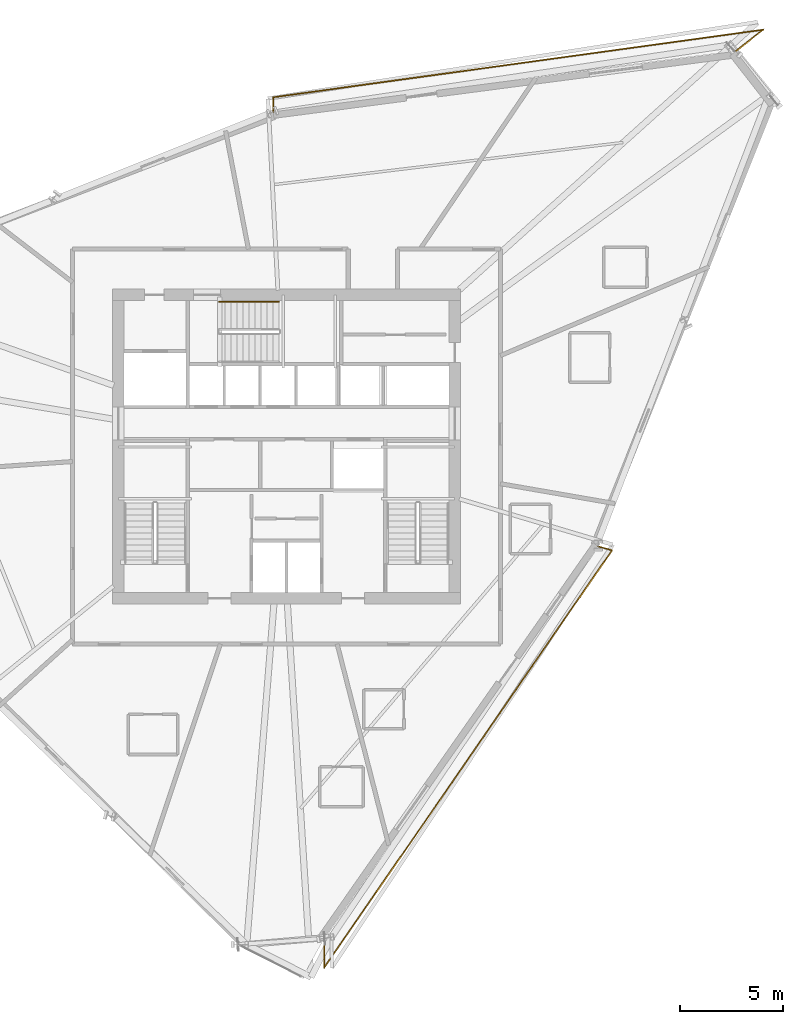
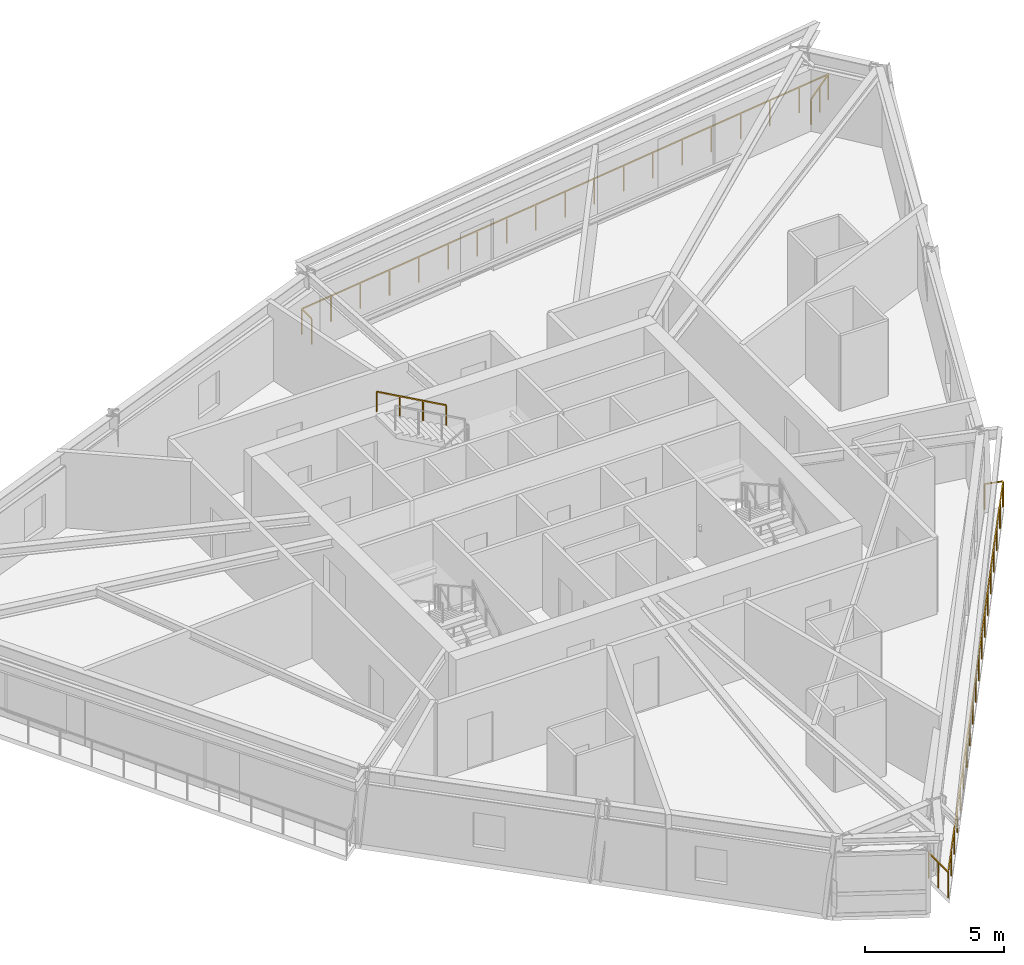
# One storey, part 13 of 13: 3 railings.
"""IFC4 building model written with IfcOpenShell, lengths in metres."""

from ifc_helpers import new_model, si_unit, direction, frame, origin, origin_2d, place, context, subcontext, project, spatial, rectangle, extrude, material, type_object, element, save


model = new_model("IFC4")

# Units and contexts
model_context = context("Model", 3, precision=1e-05, world=origin(), true_north=direction((0.0, 1.0)))
body_context = subcontext(model_context, "Body", "Model", "MODEL_VIEW")
ifc_project = project(units=[si_unit("LENGTHUNIT", "METRE"), si_unit("AREAUNIT", "SQUARE_METRE"), si_unit("VOLUMEUNIT", "CUBIC_METRE"), si_unit("PLANEANGLEUNIT", "RADIAN"), si_unit("MASSUNIT", "GRAM", prefix="KILO")], contexts=[model_context])

# Site, building, storey
site_placement = place(None, origin())
site = spatial("IfcSite", under=ifc_project, at=site_placement, CompositionType="ELEMENT")
building_placement = place(site_placement, origin())
building = spatial("IfcBuilding", under=site, at=building_placement, Name="Olszyna Solenne Hotel", CompositionType="ELEMENT")
storey_placement = place(building_placement, frame((0.0, 0.0, 189.199951171875)))
storey = spatial("IfcBuildingStorey", under=building, at=storey_placement, Name="L50", CompositionType="ELEMENT", Elevation=189.199951171875)

# Railings
ifc_material_1 = material(Name="Anodised bronze aluminium", Category="aluminium")
railing_type_1 = type_object("IfcRailingType", Name="GR-110", PredefinedType="BALUSTRADE", material=ifc_material_1)
railing_1_placement = place(storey_placement, frame((59.842529296875, 45.81982421875, 0.0)))
element("IfcRailing", 1, at=railing_1_placement, inside=storey, type_object=railing_type_1, Name="Loggia balcony balustrade guard GR-L50-LG1", PredefinedType="BALUSTRADE", context=body_context, shape_type="SweptSolid", body=[
    extrude(rectangle(XDim=0.048095703125, YDim=0.048095703125, at=origin_2d()), frame((0.0, 0.0, 1.1259765625), z_axis=(0.785576692254, 0.61876430132, 0.0), x_axis=(-0.61876430132, 0.785576692254, 0.0)), (0.0, 0.0, 1.0), 1.69189453125),
    extrude(rectangle(XDim=0.048095703125, YDim=0.048095703125, at=origin_2d()), frame((1.3291015625, 1.046875, 1.1259765625), z_axis=(-0.990630035839, -0.136572808762, 0.0), x_axis=(0.136572808762, -0.990630035839, 0.0)), (0.0, 0.0, 1.0), 24.047119140625),
    extrude(rectangle(XDim=0.048095703125, YDim=0.048095703125, at=origin_2d()), frame((-22.49267578125, -2.2373046875, 1.1259765625), z_axis=(-0.000688231083, -0.999999763169, 0.0), x_axis=(0.999999763169, -0.000688231083, 0.0)), (0.0, 0.0, 1.0), 0.70947265625),
    extrude(rectangle(XDim=0.0419921875, YDim=0.0419921875, at=origin_2d()), origin(), (0.0, 0.0, 1.0), 1.101806640625),
    extrude(rectangle(XDim=0.0419921875, YDim=0.0419921875, at=origin_2d()), frame((0.66455078125, 0.5234375, 0.0)), (0.0, 0.0, 1.0), 1.101806640625),
    extrude(rectangle(XDim=0.0419921875, YDim=0.0419921875, at=origin_2d()), frame((1.3291015625, 1.046875, 0.0)), (0.0, 0.0, 1.0), 1.101806640625),
    extrude(rectangle(XDim=0.0419921875, YDim=0.0419921875, at=origin_2d()), frame((0.005615234375, 0.864501953125, 0.0)), (0.0, 0.0, 1.0), 1.101806640625),
    extrude(rectangle(XDim=0.0419921875, YDim=0.0419921875, at=origin_2d()), frame((-1.31787109375, 0.681884765625, 0.0)), (0.0, 0.0, 1.0), 1.101806640625),
    extrude(rectangle(XDim=0.0419921875, YDim=0.0419921875, at=origin_2d()), frame((-2.64111328125, 0.49951171875, 0.0)), (0.0, 0.0, 1.0), 1.101806640625),
    extrude(rectangle(XDim=0.0419921875, YDim=0.0419921875, at=origin_2d()), frame((-3.964599609375, 0.317138671875, 0.0)), (0.0, 0.0, 1.0), 1.101806640625),
    extrude(rectangle(XDim=0.0419921875, YDim=0.0419921875, at=origin_2d()), frame((-5.2880859375, 0.134521484375, 0.0)), (0.0, 0.0, 1.0), 1.101806640625),
    extrude(rectangle(XDim=0.0419921875, YDim=0.0419921875, at=origin_2d()), frame((-6.611572265625, -0.0478515625, 0.0)), (0.0, 0.0, 1.0), 1.101806640625),
    extrude(rectangle(XDim=0.0419921875, YDim=0.0419921875, at=origin_2d()), frame((-7.934814453125, -0.230224609375, 0.0)), (0.0, 0.0, 1.0), 1.101806640625),
    extrude(rectangle(XDim=0.0419921875, YDim=0.0419921875, at=origin_2d()), frame((-9.25830078125, -0.412841796875, 0.0)), (0.0, 0.0, 1.0), 1.101806640625),
    extrude(rectangle(XDim=0.0419921875, YDim=0.0419921875, at=origin_2d()), frame((-10.581787109375, -0.59521484375, 0.0)), (0.0, 0.0, 1.0), 1.101806640625),
    extrude(rectangle(XDim=0.0419921875, YDim=0.0419921875, at=origin_2d()), frame((-11.9052734375, -0.777587890625, 0.0)), (0.0, 0.0, 1.0), 1.101806640625),
    extrude(rectangle(XDim=0.0419921875, YDim=0.0419921875, at=origin_2d()), frame((-13.228759765625, -0.960205078125, 0.0)), (0.0, 0.0, 1.0), 1.101806640625),
    extrude(rectangle(XDim=0.0419921875, YDim=0.0419921875, at=origin_2d()), frame((-14.552001953125, -1.142578125, 0.0)), (0.0, 0.0, 1.0), 1.101806640625),
    extrude(rectangle(XDim=0.0419921875, YDim=0.0419921875, at=origin_2d()), frame((-15.87548828125, -1.324951171875, 0.0)), (0.0, 0.0, 1.0), 1.101806640625),
    extrude(rectangle(XDim=0.0419921875, YDim=0.0419921875, at=origin_2d()), frame((-17.198974609375, -1.507568359375, 0.0)), (0.0, 0.0, 1.0), 1.101806640625),
    extrude(rectangle(XDim=0.0419921875, YDim=0.0419921875, at=origin_2d()), frame((-18.5224609375, -1.68994140625, 0.0)), (0.0, 0.0, 1.0), 1.101806640625),
    extrude(rectangle(XDim=0.0419921875, YDim=0.0419921875, at=origin_2d()), frame((-19.845703125, -1.872314453125, 0.0)), (0.0, 0.0, 1.0), 1.101806640625),
    extrude(rectangle(XDim=0.0419921875, YDim=0.0419921875, at=origin_2d()), frame((-21.169189453125, -2.054931640625, 0.0)), (0.0, 0.0, 1.0), 1.101806640625),
    extrude(rectangle(XDim=0.0419921875, YDim=0.0419921875, at=origin_2d()), frame((-22.49267578125, -2.2373046875, 0.0)), (0.0, 0.0, 1.0), 1.101806640625),
    extrude(rectangle(XDim=0.0419921875, YDim=0.0419921875, at=origin_2d()), frame((-22.4931640625, -2.94677734375, 0.0)), (0.0, 0.0, 1.0), 1.101806640625),
])
railing_2_placement = place(storey_placement, frame((39.833984375, 2.68798828125, 0.0)))
element("IfcRailing", 2, at=railing_2_placement, inside=storey, type_object=railing_type_1, Name="Loggia balcony balustrade guard GR-L50-LG3", PredefinedType="BALUSTRADE", context=body_context, shape_type="SweptSolid", body=[
    extrude(rectangle(XDim=0.048095703125, YDim=0.048095703125, at=origin_2d()), frame((0.0, 0.0, 1.1259765625), z_axis=(-0.000688467995, -0.999999763006, 0.0), x_axis=(0.999999763006, -0.000688467995, 0.0)), (0.0, 0.0, 1.0), 1.41845703125),
    extrude(rectangle(XDim=0.048095703125, YDim=0.048095703125, at=origin_2d()), frame((-0.0009765625, -1.41845703125, 1.1259765625), z_axis=(0.567809110529, 0.823160260217, 0.0), x_axis=(-0.823160260217, 0.567809110529, 0.0)), (0.0, 0.0, 1.0), 24.646240234375),
    extrude(rectangle(XDim=0.048095703125, YDim=0.048095703125, at=origin_2d()), frame((13.993408203125, 18.869384765625, 1.1259765625), z_axis=(-0.962993440726, 0.26952482839, 0.0), x_axis=(-0.26952482839, -0.962993440726, 0.0)), (0.0, 0.0, 1.0), 0.689208984375),
    extrude(rectangle(XDim=0.0419921875, YDim=0.0419921875, at=origin_2d()), origin(), (0.0, 0.0, 1.0), 1.101806640625),
    extrude(rectangle(XDim=0.0419921875, YDim=0.0419921875, at=origin_2d()), frame((-0.00048828125, -0.709228515625, 0.0)), (0.0, 0.0, 1.0), 1.101806640625),
    extrude(rectangle(XDim=0.0419921875, YDim=0.0419921875, at=origin_2d()), frame((-0.0009765625, -1.41845703125, 0.0)), (0.0, 0.0, 1.0), 1.101806640625),
    extrude(rectangle(XDim=0.0419921875, YDim=0.0419921875, at=origin_2d()), frame((0.7763671875, -0.291259765625, 0.0)), (0.0, 0.0, 1.0), 1.101806640625),
    extrude(rectangle(XDim=0.0419921875, YDim=0.0419921875, at=origin_2d()), frame((1.553955078125, 0.835693359375, 0.0)), (0.0, 0.0, 1.0), 1.101806640625),
    extrude(rectangle(XDim=0.0419921875, YDim=0.0419921875, at=origin_2d()), frame((2.33154296875, 1.962890625, 0.0)), (0.0, 0.0, 1.0), 1.101806640625),
    extrude(rectangle(XDim=0.0419921875, YDim=0.0419921875, at=origin_2d()), frame((3.10888671875, 3.08984375, 0.0)), (0.0, 0.0, 1.0), 1.101806640625),
    extrude(rectangle(XDim=0.0419921875, YDim=0.0419921875, at=origin_2d()), frame((3.88623046875, 4.217041015625, 0.0)), (0.0, 0.0, 1.0), 1.101806640625),
    extrude(rectangle(XDim=0.0419921875, YDim=0.0419921875, at=origin_2d()), frame((4.663818359375, 5.34423828125, 0.0)), (0.0, 0.0, 1.0), 1.101806640625),
    extrude(rectangle(XDim=0.0419921875, YDim=0.0419921875, at=origin_2d()), frame((5.44140625, 6.47119140625, 0.0)), (0.0, 0.0, 1.0), 1.101806640625),
    extrude(rectangle(XDim=0.0419921875, YDim=0.0419921875, at=origin_2d()), frame((6.21875, 7.598388671875, 0.0)), (0.0, 0.0, 1.0), 1.101806640625),
    extrude(rectangle(XDim=0.0419921875, YDim=0.0419921875, at=origin_2d()), frame((6.99609375, 8.7255859375, 0.0)), (0.0, 0.0, 1.0), 1.101806640625),
    extrude(rectangle(XDim=0.0419921875, YDim=0.0419921875, at=origin_2d()), frame((7.773681640625, 9.8525390625, 0.0)), (0.0, 0.0, 1.0), 1.101806640625),
    extrude(rectangle(XDim=0.0419921875, YDim=0.0419921875, at=origin_2d()), frame((8.55126953125, 10.979736328125, 0.0)), (0.0, 0.0, 1.0), 1.101806640625),
    extrude(rectangle(XDim=0.0419921875, YDim=0.0419921875, at=origin_2d()), frame((9.32861328125, 12.106689453125, 0.0)), (0.0, 0.0, 1.0), 1.101806640625),
    extrude(rectangle(XDim=0.0419921875, YDim=0.0419921875, at=origin_2d()), frame((10.10595703125, 13.23388671875, 0.0)), (0.0, 0.0, 1.0), 1.101806640625),
    extrude(rectangle(XDim=0.0419921875, YDim=0.0419921875, at=origin_2d()), frame((10.883544921875, 14.361083984375, 0.0)), (0.0, 0.0, 1.0), 1.101806640625),
    extrude(rectangle(XDim=0.0419921875, YDim=0.0419921875, at=origin_2d()), frame((11.6611328125, 15.488037109375, 0.0)), (0.0, 0.0, 1.0), 1.101806640625),
    extrude(rectangle(XDim=0.0419921875, YDim=0.0419921875, at=origin_2d()), frame((12.4384765625, 16.615234375, 0.0)), (0.0, 0.0, 1.0), 1.101806640625),
    extrude(rectangle(XDim=0.0419921875, YDim=0.0419921875, at=origin_2d()), frame((13.2158203125, 17.7421875, 0.0)), (0.0, 0.0, 1.0), 1.101806640625),
    extrude(rectangle(XDim=0.0419921875, YDim=0.0419921875, at=origin_2d()), frame((13.993408203125, 18.869384765625, 0.0)), (0.0, 0.0, 1.0), 1.101806640625),
    extrude(rectangle(XDim=0.0419921875, YDim=0.0419921875, at=origin_2d()), frame((13.32958984375, 19.05517578125, 0.0)), (0.0, 0.0, 1.0), 1.101806640625),
])
ifc_material_2 = material(Name="Steel S355J2", Category="steel")
railing_type_2 = type_object("IfcRailingType", Name="HR-090", PredefinedType="HANDRAIL", material=ifc_material_2)
railing_3_placement = place(storey_placement, frame((37.6298828125, 33.64990234375, 1.9365234375)))
element("IfcRailing", 3, at=railing_3_placement, inside=storey, type_object=railing_type_2, Name="L50 ST3 stair handrail 2", PredefinedType="HANDRAIL", context=body_context, shape_type="SweptSolid", body=[
    extrude(rectangle(XDim=0.048095703125, YDim=0.048095703125, at=origin_2d()), frame((0.0, 0.0, 0.8759765625), z_axis=(-0.873841303929, 0.0, 0.486211245805), x_axis=(0.0, -1.0, 0.0)), (0.0, 0.0, 1.0), 3.318603515625),
    extrude(rectangle(XDim=0.0419921875, YDim=0.0419921875, at=origin_2d()), origin(), (0.0, 0.0, 1.0), 0.851806640625),
    extrude(rectangle(XDim=0.0419921875, YDim=0.0419921875, at=origin_2d()), frame((-0.966552734375, 0.0, 0.537841796875)), (0.0, 0.0, 1.0), 0.851806640625),
    extrude(rectangle(XDim=0.0419921875, YDim=0.0419921875, at=origin_2d()), frame((-1.933349609375, 0.0, 1.07568359375)), (0.0, 0.0, 1.0), 0.851806640625),
    extrude(rectangle(XDim=0.0419921875, YDim=0.0419921875, at=origin_2d()), frame((-2.89990234375, 0.0, 1.613525390625)), (0.0, 0.0, 1.0), 0.851806640625),
])

save(model, "model.ifc")
